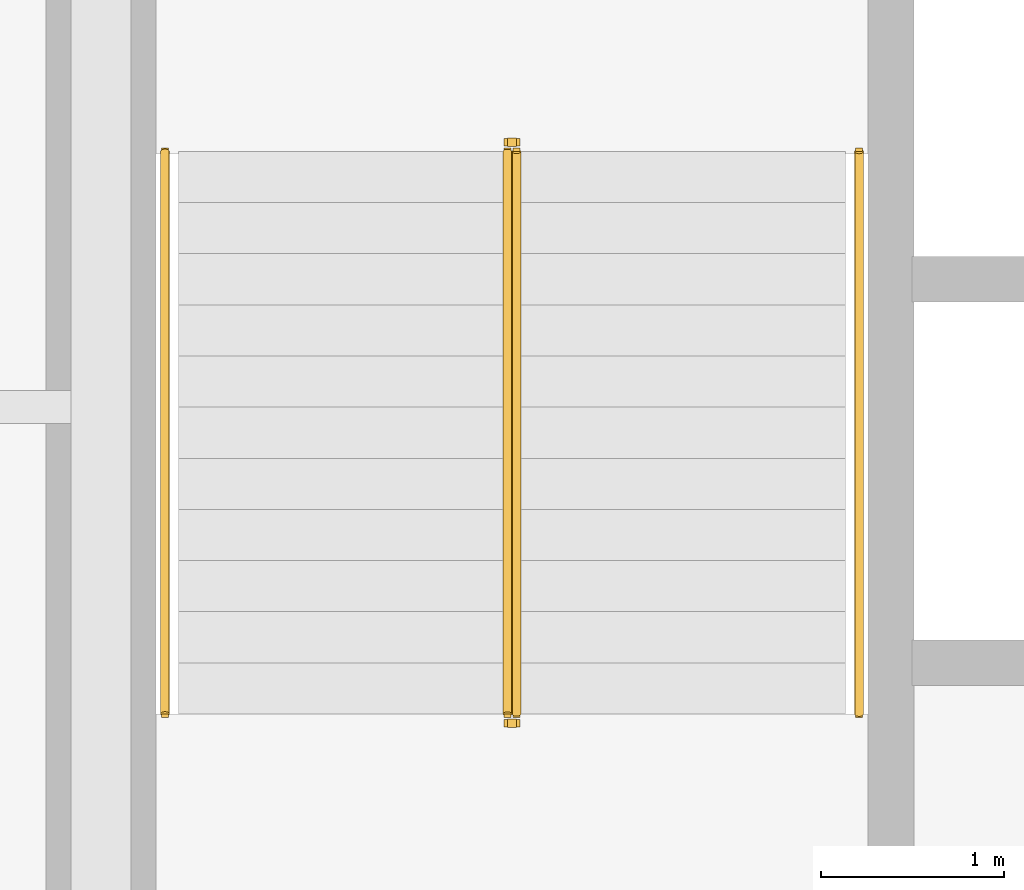
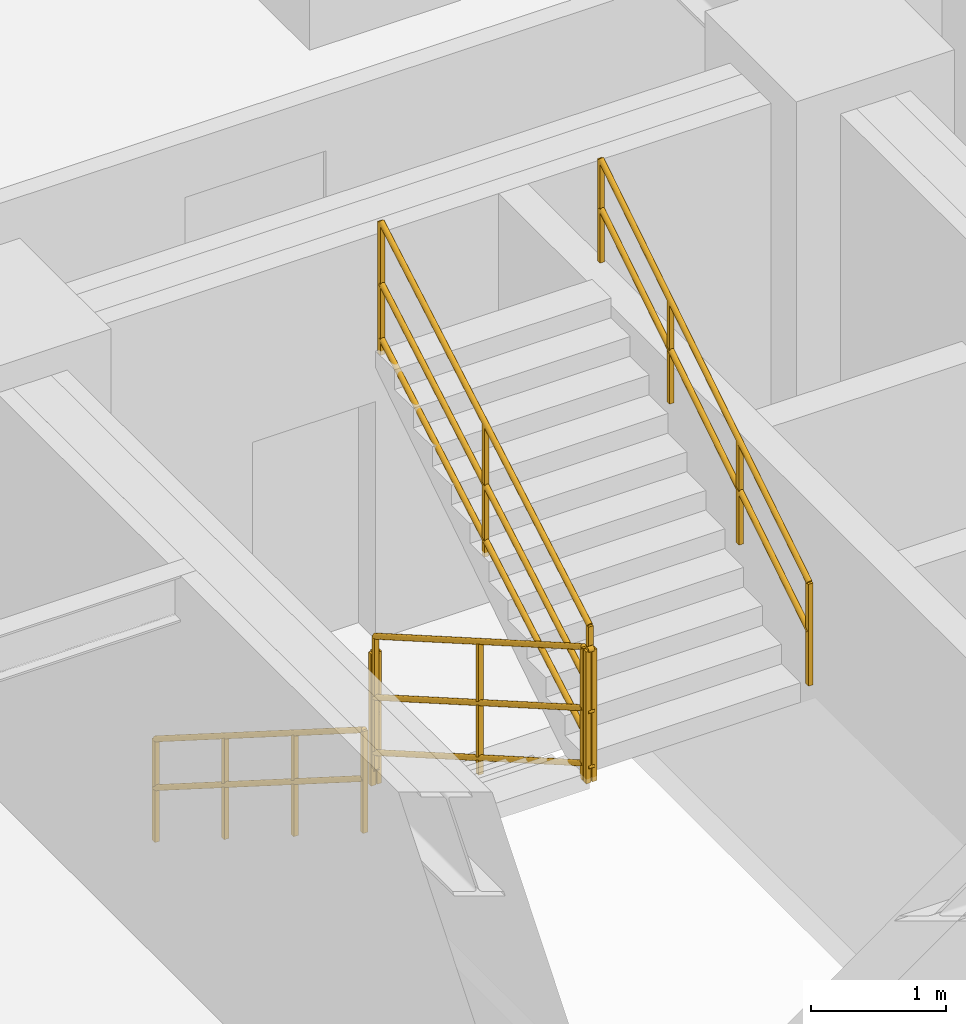
# One storey, part 9 of 9: 6 railings.
"""IFC4 building model written with IfcOpenShell, lengths in metres."""

from ifc_helpers import new_model, entity, si_unit, converted_unit, direction, frame, origin_with_axes, origin_2d_with_axis, place, context, subcontext, project, spatial, rectangle, circle, extrude, material, type_object, element, save


model = new_model("IFC4")

# Units and contexts
model_context = context("Model", 3, precision=1e-05, world=origin_with_axes(), true_north=direction((0.0, 1.0)))
body_context = subcontext(model_context, "Body", "Model", "MODEL_VIEW")
ifc_project = project(units=[si_unit("LENGTHUNIT", "METRE"), si_unit("AREAUNIT", "SQUARE_METRE"), si_unit("VOLUMEUNIT", "CUBIC_METRE"), converted_unit("PLANEANGLEUNIT", "DEGREE", entity("IfcPlaneAngleMeasure", 0.017453292519943295), si_unit("PLANEANGLEUNIT", "RADIAN"), dimensions=[0, 0, 0, 0, 0, 0, 0]), si_unit("MASSUNIT", "GRAM", prefix="KILO"), si_unit("THERMODYNAMICTEMPERATUREUNIT", "KELVIN")], contexts=[model_context])

# Site, building, storey
site_placement = place(None, origin_with_axes())
site = spatial("IfcSite", under=ifc_project, at=site_placement, CompositionType="ELEMENT")
building_placement = place(site_placement, origin_with_axes())
building = spatial("IfcBuilding", under=site, at=building_placement, Name="Varnlund Millrace Tower", CompositionType="ELEMENT")
storey_placement = place(building_placement, frame((0.0, 0.0, 67.8), z_axis=(0.0, 0.0, 1.0), x_axis=(1.0, 0.0, 0.0)))
storey = spatial("IfcBuildingStorey", under=building, at=storey_placement, Name="L16", CompositionType="ELEMENT", Elevation=67.8)

# Railings
ifc_material_1 = material(Name="Painted steel stair well balustrade guard", Category="steel")
railing_type_1 = type_object("IfcRailingType", Name="Type-StairGuard-1150", PredefinedType="GUARDRAIL", material=ifc_material_1)
railing_1_placement = place(storey_placement, frame((0.0, 0.0, -67.8), z_axis=(0.0, 0.0, 1.0), x_axis=(1.0, 0.0, 0.0)))
element("IfcRailing", 1, at=railing_1_placement, inside=storey, type_object=railing_type_1, Name="Type-StairGuard-1150", PredefinedType="GUARDRAIL", context=body_context, shape_type="SweptSolid", body=[
    extrude(circle(Radius=0.024, at=origin_2d_with_axis()), frame((13.625, 35.9, 69.127273), z_axis=(0.0, -0.866696, 0.498836), x_axis=(1.0, 0.0, 0.0)), (0.0, 0.0, 1.0), 3.553725),
    extrude(circle(Radius=0.024, at=origin_2d_with_axis()), frame((13.625, 35.9, 68.077273), z_axis=(0.0, -0.866696, 0.498836), x_axis=(1.0, 0.0, 0.0)), (0.0, 0.0, 1.0), 3.553725),
    extrude(circle(Radius=0.024, at=origin_2d_with_axis()), frame((13.625, 35.9, 68.575273), z_axis=(0.0, -0.866696, 0.498836), x_axis=(1.0, 0.0, 0.0)), (0.0, 0.0, 1.0), 3.553725),
    extrude(rectangle(XDim=0.04, YDim=0.04, at=origin_2d_with_axis()), frame((13.625, 35.9, 67.937273), z_axis=(0.0, 0.0, 1.0), x_axis=(1.0, 0.0, 0.0)), (0.0, 0.0, 1.0), 1.19),
    extrude(rectangle(XDim=0.04, YDim=0.04, at=origin_2d_with_axis()), frame((13.625, 34.36, 68.823636), z_axis=(0.0, 0.0, 1.0), x_axis=(1.0, 0.0, 0.0)), (0.0, 0.0, 1.0), 1.19),
    extrude(rectangle(XDim=0.04, YDim=0.04, at=origin_2d_with_axis()), frame((13.625, 32.82, 69.71), z_axis=(0.0, 0.0, 1.0), x_axis=(1.0, 0.0, 0.0)), (0.0, 0.0, 1.0), 1.19),
])
railing_2_placement = place(storey_placement, frame((0.0, 0.0, -67.8), z_axis=(0.0, 0.0, 1.0), x_axis=(1.0, 0.0, 0.0)))
element("IfcRailing", 2, at=railing_2_placement, inside=storey, type_object=railing_type_1, Name="Type-StairGuard-1150", PredefinedType="GUARDRAIL", context=body_context, shape_type="SweptSolid", body=[
    extrude(circle(Radius=0.024, at=origin_2d_with_axis()), frame((13.675, 32.77, 70.9), z_axis=(-1.0, 0.0, 0.0), x_axis=(0.0, -1.0, 0.0)), (0.0, 0.0, 1.0), 0.05),
    extrude(circle(Radius=0.024, at=origin_2d_with_axis()), frame((13.675, 32.77, 69.85), z_axis=(-1.0, 0.0, 0.0), x_axis=(0.0, -1.0, 0.0)), (0.0, 0.0, 1.0), 0.05),
    extrude(circle(Radius=0.024, at=origin_2d_with_axis()), frame((13.675, 32.77, 70.348), z_axis=(-1.0, 0.0, 0.0), x_axis=(0.0, -1.0, 0.0)), (0.0, 0.0, 1.0), 0.05),
    extrude(rectangle(XDim=0.04, YDim=0.04, at=origin_2d_with_axis()), frame((13.675, 32.77, 69.71), z_axis=(0.0, 0.0, 1.0), x_axis=(1.0, 0.0, 0.0)), (0.0, 0.0, 1.0), 1.19),
    extrude(rectangle(XDim=0.04, YDim=0.04, at=origin_2d_with_axis()), frame((13.625, 32.77, 69.71), z_axis=(0.0, 0.0, 1.0), x_axis=(1.0, 0.0, 0.0)), (0.0, 0.0, 1.0), 1.19),
])
railing_3_placement = place(storey_placement, frame((0.0, 0.0, -67.8), z_axis=(0.0, 0.0, 1.0), x_axis=(1.0, 0.0, 0.0)))
element("IfcRailing", 3, at=railing_3_placement, inside=storey, type_object=railing_type_1, Name="Type-StairGuard-1150", PredefinedType="GUARDRAIL", context=body_context, shape_type="SweptSolid", body=[
    extrude(circle(Radius=0.024, at=origin_2d_with_axis()), frame((13.675, 32.82, 71.077273), z_axis=(0.0, 0.866696, 0.498836), x_axis=(-1.0, 0.0, 0.0)), (0.0, 0.0, 1.0), 3.553725),
    extrude(circle(Radius=0.024, at=origin_2d_with_axis()), frame((13.675, 32.82, 70.027273), z_axis=(0.0, 0.866696, 0.498836), x_axis=(-1.0, 0.0, 0.0)), (0.0, 0.0, 1.0), 3.553725),
    extrude(circle(Radius=0.024, at=origin_2d_with_axis()), frame((13.675, 32.82, 70.525273), z_axis=(0.0, 0.866696, 0.498836), x_axis=(-1.0, 0.0, 0.0)), (0.0, 0.0, 1.0), 3.553725),
    extrude(rectangle(XDim=0.04, YDim=0.04, at=origin_2d_with_axis()), frame((13.675, 32.82, 69.887273), z_axis=(0.0, 0.0, 1.0), x_axis=(1.0, 0.0, 0.0)), (0.0, 0.0, 1.0), 1.19),
    extrude(rectangle(XDim=0.04, YDim=0.04, at=origin_2d_with_axis()), frame((13.675, 34.36, 70.773636), z_axis=(0.0, 0.0, 1.0), x_axis=(1.0, 0.0, 0.0)), (0.0, 0.0, 1.0), 1.19),
    extrude(rectangle(XDim=0.04, YDim=0.04, at=origin_2d_with_axis()), frame((13.675, 35.9, 71.66), z_axis=(0.0, 0.0, 1.0), x_axis=(1.0, 0.0, 0.0)), (0.0, 0.0, 1.0), 1.19),
])
railing_4_placement = place(storey_placement, frame((0.0, 0.0, -67.8), z_axis=(0.0, 0.0, 1.0), x_axis=(1.0, 0.0, 0.0)))
element("IfcRailing", 4, at=railing_4_placement, inside=storey, type_object=railing_type_1, Name="Type-StairGuard-1150", PredefinedType="GUARDRAIL", context=body_context, shape_type="SweptSolid", body=[
    extrude(circle(Radius=0.024, at=origin_2d_with_axis()), frame((13.675, 35.95, 68.95), z_axis=(-1.0, 0.0, 0.0), x_axis=(0.0, -1.0, 0.0)), (0.0, 0.0, 1.0), 0.05),
    extrude(circle(Radius=0.024, at=origin_2d_with_axis()), frame((13.675, 35.95, 67.9), z_axis=(-1.0, 0.0, 0.0), x_axis=(0.0, -1.0, 0.0)), (0.0, 0.0, 1.0), 0.05),
    extrude(circle(Radius=0.024, at=origin_2d_with_axis()), frame((13.675, 35.95, 68.398), z_axis=(-1.0, 0.0, 0.0), x_axis=(0.0, -1.0, 0.0)), (0.0, 0.0, 1.0), 0.05),
    extrude(rectangle(XDim=0.04, YDim=0.04, at=origin_2d_with_axis()), frame((13.675, 35.95, 67.76), z_axis=(0.0, 0.0, 1.0), x_axis=(1.0, 0.0, 0.0)), (0.0, 0.0, 1.0), 1.19),
    extrude(rectangle(XDim=0.04, YDim=0.04, at=origin_2d_with_axis()), frame((13.625, 35.95, 67.76), z_axis=(0.0, 0.0, 1.0), x_axis=(1.0, 0.0, 0.0)), (0.0, 0.0, 1.0), 1.19),
])
ifc_material_2 = material(Name="Brushed architectural bronze stair handrail", Category="aluminium")
railing_type_2 = type_object("IfcRailingType", Name="Type-StairHandrail-900", PredefinedType="HANDRAIL", material=ifc_material_2)
railing_5_placement = place(storey_placement, frame((0.0, 0.0, -67.8), z_axis=(0.0, 0.0, 1.0), x_axis=(1.0, 0.0, 0.0)))
element("IfcRailing", 5, at=railing_5_placement, inside=storey, type_object=railing_type_2, Name="Type-StairHandrail-900", PredefinedType="HANDRAIL", context=body_context, shape_type="SweptSolid", body=[
    extrude(circle(Radius=0.024, at=origin_2d_with_axis()), frame((11.75, 35.9, 68.856995), z_axis=(0.0, -0.844902, 0.534922), x_axis=(1.0, 0.0, 0.0)), (0.0, 0.0, 1.0), 3.645394),
    extrude(circle(Radius=0.024, at=origin_2d_with_axis()), frame((11.75, 35.9, 68.417134), z_axis=(0.0, -0.844902, 0.534922), x_axis=(1.0, 0.0, 0.0)), (0.0, 0.0, 1.0), 3.645394),
    extrude(rectangle(XDim=0.04, YDim=0.04, at=origin_2d_with_axis()), frame((11.75, 35.9, 67.937273), z_axis=(0.0, 0.0, 1.0), x_axis=(1.0, 0.0, 0.0)), (0.0, 0.0, 1.0), 0.919722),
    extrude(rectangle(XDim=0.04, YDim=0.04, at=origin_2d_with_axis()), frame((11.75, 34.873333, 68.587273), z_axis=(0.0, 0.0, 1.0), x_axis=(1.0, 0.0, 0.0)), (0.0, 0.0, 1.0), 0.919722),
    extrude(rectangle(XDim=0.04, YDim=0.04, at=origin_2d_with_axis()), frame((11.75, 33.846667, 69.237273), z_axis=(0.0, 0.0, 1.0), x_axis=(1.0, 0.0, 0.0)), (0.0, 0.0, 1.0), 0.919722),
    extrude(rectangle(XDim=0.04, YDim=0.04, at=origin_2d_with_axis()), frame((11.75, 32.82, 69.887273), z_axis=(0.0, 0.0, 1.0), x_axis=(1.0, 0.0, 0.0)), (0.0, 0.0, 1.0), 0.919722),
])
railing_6_placement = place(storey_placement, frame((0.0, 0.0, -67.8), z_axis=(0.0, 0.0, 1.0), x_axis=(1.0, 0.0, 0.0)))
element("IfcRailing", 6, at=railing_6_placement, inside=storey, type_object=railing_type_2, Name="Type-StairHandrail-900", PredefinedType="HANDRAIL", context=body_context, shape_type="SweptSolid", body=[
    extrude(circle(Radius=0.024, at=origin_2d_with_axis()), frame((15.55, 32.82, 70.806995), z_axis=(0.0, 0.844902, 0.534922), x_axis=(-1.0, 0.0, 0.0)), (0.0, 0.0, 1.0), 3.645394),
    extrude(circle(Radius=0.024, at=origin_2d_with_axis()), frame((15.55, 32.82, 70.367134), z_axis=(0.0, 0.844902, 0.534922), x_axis=(-1.0, 0.0, 0.0)), (0.0, 0.0, 1.0), 3.645394),
    extrude(rectangle(XDim=0.04, YDim=0.04, at=origin_2d_with_axis()), frame((15.55, 32.82, 69.887273), z_axis=(0.0, 0.0, 1.0), x_axis=(1.0, 0.0, 0.0)), (0.0, 0.0, 1.0), 0.919722),
    extrude(rectangle(XDim=0.04, YDim=0.04, at=origin_2d_with_axis()), frame((15.55, 33.846667, 70.537273), z_axis=(0.0, 0.0, 1.0), x_axis=(1.0, 0.0, 0.0)), (0.0, 0.0, 1.0), 0.919722),
    extrude(rectangle(XDim=0.04, YDim=0.04, at=origin_2d_with_axis()), frame((15.55, 34.873333, 71.187273), z_axis=(0.0, 0.0, 1.0), x_axis=(1.0, 0.0, 0.0)), (0.0, 0.0, 1.0), 0.919722),
    extrude(rectangle(XDim=0.04, YDim=0.04, at=origin_2d_with_axis()), frame((15.55, 35.9, 71.837273), z_axis=(0.0, 0.0, 1.0), x_axis=(1.0, 0.0, 0.0)), (0.0, 0.0, 1.0), 0.919722),
])

save(model, "model.ifc")
